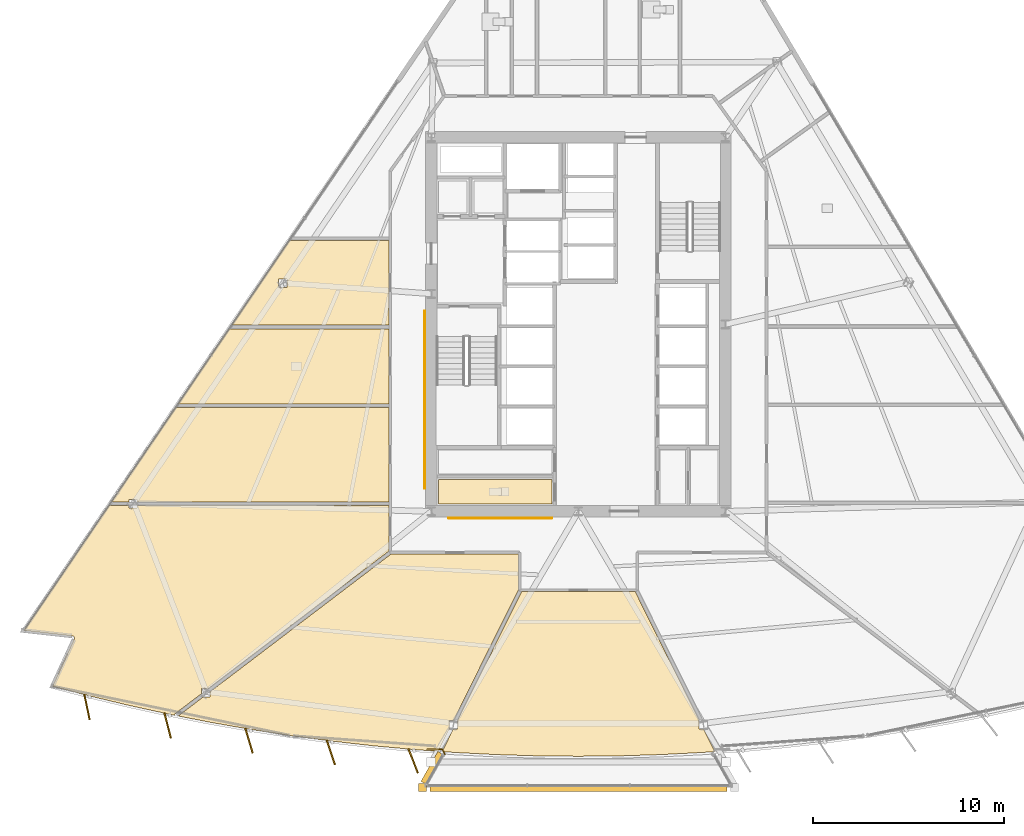
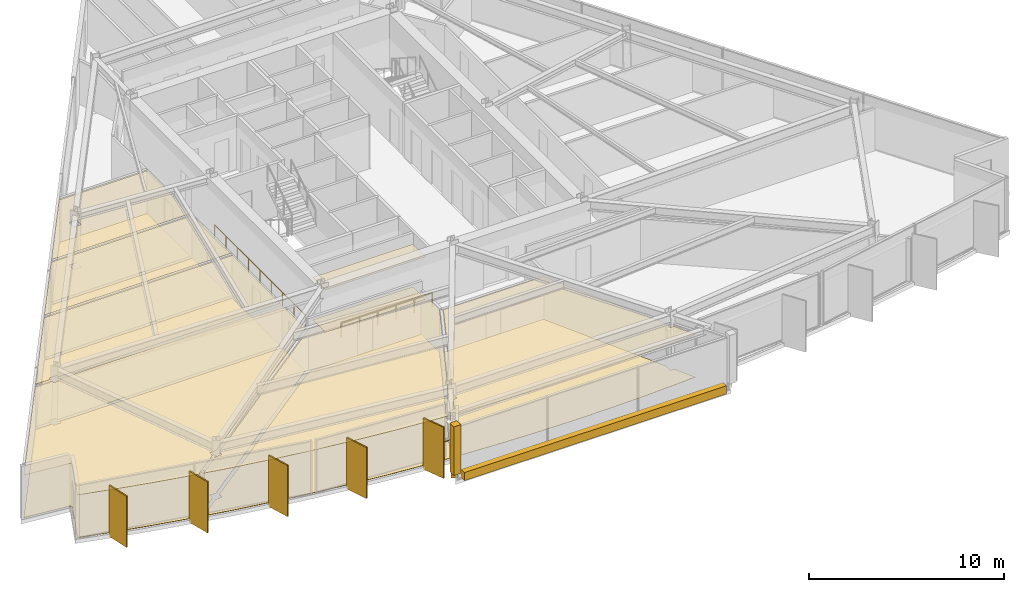
# One storey, part 12 of 16: 17 coverings, 5 shading devices, 3 railings.
"""IFC4 building model written with IfcOpenShell, lengths in metres."""

from ifc_helpers import new_model, si_unit, direction, frame, origin, origin_2d, place, context, subcontext, project, spatial, polyline, rectangle, circle, outline, extrude, material, layer, layer_set, type_object, element, save


model = new_model("IFC4")

# Units and contexts
model_context = context("Model", 3, precision=1e-05, world=origin(), true_north=direction((0.0, 1.0)))
body_context = subcontext(model_context, "Body", "Model", "MODEL_VIEW")
ifc_project = project(units=[si_unit("LENGTHUNIT", "METRE"), si_unit("AREAUNIT", "SQUARE_METRE"), si_unit("VOLUMEUNIT", "CUBIC_METRE"), si_unit("PLANEANGLEUNIT", "RADIAN"), si_unit("MASSUNIT", "GRAM", prefix="KILO")], contexts=[model_context])

# Site, building, storey
site_placement = place(None, origin())
site = spatial("IfcSite", under=ifc_project, at=site_placement, CompositionType="ELEMENT")
building_placement = place(site_placement, origin())
building = spatial("IfcBuilding", under=site, at=building_placement, Name="Savorim Split Tower", CompositionType="ELEMENT")
storey_placement = place(building_placement, frame((0.0, 0.0, 66.0)))
storey = spatial("IfcBuildingStorey", under=building, at=storey_placement, Name="L17", CompositionType="ELEMENT", Elevation=66.0)

# Coverings
ifc_material_1 = material(Name="Mineral Fibre Acoustic Ceiling")
ifc_layer_1 = layer(ifc_material_1, 0.02490234375)
ifc_layer_set_1 = layer_set([ifc_layer_1], Name="COV-CEIL-25")
covering_type_1 = type_object("IfcCoveringType", Name="COV-CEIL-25", PredefinedType="CEILING", material=ifc_layer_set_1)
covering_1_placement = place(storey_placement, frame((0.0, 0.0, 2.669921875)))
element("IfcCovering", 1, at=covering_1_placement, inside=storey, type_object=covering_type_1, Name="L17 Public WC Acoustic Ceiling", PredefinedType="CEILING", context=body_context, shape_type="SweptSolid", body=[
    extrude(outline(polyline([(-7.320068359375, -7.719970703125), (-7.320068359375, -9.02001953125), (-1.3798828125, -9.02001953125), (-1.3798828125, -7.719970703125), (-7.320068359375, -7.719970703125)])), origin(), (0.0, 0.0, 1.0), 0.025146484375),
])
covering_2_placement = place(storey_placement, frame((0.0, 0.0, 2.669921875)))
element("IfcCovering", 2, at=covering_2_placement, inside=storey, type_object=covering_type_1, Name="L17 Shared Kitchen Acoustic Ceiling", PredefinedType="CEILING", context=body_context, shape_type="SweptSolid", body=[
    extrude(outline(polyline([(-18.29345703125, 0.16455078125), (-20.96533203125, -3.76318359375), (-9.919921875, -3.76318359375), (-9.919921875, 0.16455078125), (-18.29345703125, 0.16455078125)])), origin(), (0.0, 0.0, 1.0), 0.025146484375),
])
covering_3_placement = place(storey_placement, frame((0.0, 0.0, 2.669921875)))
element("IfcCovering", 3, at=covering_3_placement, inside=storey, type_object=covering_type_1, Name="L17 Maker Workshop Acoustic Ceiling", PredefinedType="CEILING", context=body_context, shape_type="SweptSolid", body=[
    extrude(outline(polyline([(-23.1240234375, -8.772216796875), (-23.1240234375, -8.904541015625), (-9.919921875, -8.904541015625), (-9.919921875, -3.953125), (-21.094482421875, -3.953125), (-24.462890625, -8.904541015625), (-23.555908203125, -8.904541015625), (-23.555908203125, -8.772216796875), (-23.1240234375, -8.772216796875)])), origin(), (0.0, 0.0, 1.0), 0.025146484375),
])
covering_4_placement = place(storey_placement, frame((0.0, 0.0, 2.669921875)))
element("IfcCovering", 4, at=covering_4_placement, inside=storey, type_object=covering_type_1, Name="L17 Co-Working Commons Acoustic Ceiling", PredefinedType="CEILING", context=body_context, shape_type="SweptSolid", body=[
    extrude(outline(polyline([(-26.404052734375, -16.033447265625), (-26.40380859375, -16.04541015625), (-26.40478515625, -16.057373046875), (-26.406982421875, -16.069091796875), (-26.410400390625, -16.08056640625), (-26.414794921875, -16.091552734375), (-27.549560546875, -18.561767578125), (-25.601806640625, -19.071044921875), (-23.50634765625, -19.573486328125), (-21.40087890625, -20.032958984375), (-21.134765625, -20.08544921875), (-21.173095703125, -20.034912109375), (-19.74658203125, -18.94970703125), (-19.74658203125, -18.67724609375), (-19.388427734375, -18.67724609375), (-9.945556640625, -11.492919921875), (-9.919921875, -11.4736328125), (-9.919921875, -9.094482421875), (-23.1240234375, -9.094482421875), (-23.1240234375, -9.22705078125), (-23.555908203125, -9.22705078125), (-23.555908203125, -9.094482421875), (-24.467041015625, -9.094482421875), (-24.56201171875, -9.094482421875), (-24.56201171875, -9.05029296875), (-29.04443359375, -15.639404296875), (-26.510498046875, -15.922119140625), (-26.498779296875, -15.92431640625), (-26.4873046875, -15.92724609375), (-26.47607421875, -15.931396484375), (-26.46533203125, -15.936767578125), (-26.455078125, -15.943115234375), (-26.44580078125, -15.9501953125), (-26.43701171875, -15.95849609375), (-26.42919921875, -15.967529296875), (-26.42236328125, -15.977294921875), (-26.41650390625, -15.98779296875), (-26.41162109375, -15.99853515625), (-26.407958984375, -16.010009765625), (-26.405517578125, -16.021484375), (-26.404052734375, -16.033447265625)])), origin(), (0.0, 0.0, 1.0), 0.025146484375),
])
covering_5_placement = place(storey_placement, frame((0.0, 0.0, 2.669921875)))
element("IfcCovering", 5, at=covering_5_placement, inside=storey, type_object=covering_type_1, Name="L17 Maker Workshop Acoustic Ceiling", PredefinedType="CEILING", context=body_context, shape_type="SweptSolid", body=[
    extrude(outline(polyline([(-15.0341796875, -21.15185546875), (-12.898193359375, -21.4375), (-10.756591796875, -21.6796875), (-8.610595703125, -21.877685546875), (-7.34619140625, -21.968505859375), (-6.76171875, -20.79296875), (-6.76171875, -20.344482421875), (-6.538818359375, -20.344482421875), (-3.15087890625, -13.531005859375), (-3.1328125, -13.494140625), (-3.134033203125, -13.490478515625), (-3.13720703125, -13.477294921875), (-3.139404296875, -13.463623046875), (-3.139892578125, -13.449951171875), (-3.139892578125, -11.6201171875), (-9.780029296875, -11.6201171875), (-9.793701171875, -11.619384765625), (-9.797119140625, -11.618896484375), (-19.314697265625, -18.85986328125), (-19.314697265625, -19.132080078125), (-19.672607421875, -19.132080078125), (-20.968505859375, -20.1181640625), (-19.286376953125, -20.44921875), (-17.163818359375, -20.822265625), (-15.0341796875, -21.15185546875)])), origin(), (0.0, 0.0, 1.0), 0.025146484375),
])
covering_6_placement = place(storey_placement, frame((0.0, 0.0, 2.669921875)))
element("IfcCovering", 6, at=covering_6_placement, inside=storey, type_object=covering_type_1, Name="L17 Maker Workshop Acoustic Ceiling", PredefinedType="CEILING", context=body_context, shape_type="SweptSolid", body=[
    extrude(outline(polyline([(0.0, -22.23046875), (2.15478515625, -22.208251953125), (4.30908203125, -22.14208984375), (6.461181640625, -22.031982421875), (7.141357421875, -21.983154296875), (6.552734375, -20.79931640625), (6.32958984375, -20.79931640625), (6.32958984375, -20.350830078125), (2.980712890625, -13.615478515625), (2.96826171875, -13.590087890625), (-2.96826171875, -13.590087890625), (-6.32958984375, -20.350830078125), (-6.32958984375, -20.79931640625), (-6.552734375, -20.79931640625), (-7.134521484375, -21.9697265625), (-7.141357421875, -21.983154296875), (-6.461181640625, -22.031982421875), (-4.30908203125, -22.14208984375), (-2.15478515625, -22.208251953125), (0.0, -22.23046875)])), origin(), (0.0, 0.0, 1.0), 0.025146484375),
])
covering_7_placement = place(storey_placement, frame((0.0, 0.0, 2.669921875)))
element("IfcCovering", 7, at=covering_7_placement, inside=storey, type_object=covering_type_1, Name="L17 Co-Working Commons Acoustic Ceiling", PredefinedType="CEILING", context=body_context, shape_type="SweptSolid", body=[
    extrude(outline(polyline([(-15.14404296875, 4.794189453125), (-18.164306640625, 0.3544921875), (-9.919921875, 0.3544921875), (-9.919921875, 4.794189453125), (-15.14404296875, 4.794189453125)]), holes=[polyline([(-15.7001953125, 2.77587890625), (-15.7001953125, 2.32080078125), (-15.26806640625, 2.32080078125), (-15.26806640625, 2.77587890625), (-15.7001953125, 2.77587890625)])]), origin(), (0.0, 0.0, 1.0), 0.025146484375),
])
ifc_material_2 = material(Name="Porcelain Stoneware Flooring", Category="masonry")
ifc_layer_2 = layer(ifc_material_2, 0.02001953125)
ifc_layer_set_2 = layer_set([ifc_layer_2], Name="COV-FLOR-20")
covering_type_2 = type_object("IfcCoveringType", Name="COV-FLOR-20", PredefinedType="FLOORING", material=ifc_layer_set_2)
covering_8_placement = place(storey_placement, origin())
element("IfcCovering", 8, at=covering_8_placement, inside=storey, type_object=covering_type_2, Name="L17 Public WC Porcelain Flooring", PredefinedType="FLOORING", context=body_context, shape_type="SweptSolid", body=[
    extrude(outline(polyline([(-7.320068359375, -7.719970703125), (-7.320068359375, -9.02001953125), (-1.3798828125, -9.02001953125), (-1.3798828125, -7.719970703125), (-7.320068359375, -7.719970703125)])), origin(), (0.0, 0.0, 1.0), 0.02001953125),
])
covering_9_placement = place(storey_placement, origin())
element("IfcCovering", 9, at=covering_9_placement, inside=storey, type_object=covering_type_2, Name="L17 Shared Kitchen Porcelain Flooring", PredefinedType="FLOORING", context=body_context, shape_type="SweptSolid", body=[
    extrude(outline(polyline([(-18.29345703125, 0.16455078125), (-20.96533203125, -3.76318359375), (-9.919921875, -3.76318359375), (-9.919921875, 0.16455078125), (-18.29345703125, 0.16455078125)])), origin(), (0.0, 0.0, 1.0), 0.02001953125),
])
covering_10_placement = place(storey_placement, origin())
element("IfcCovering", 10, at=covering_10_placement, inside=storey, type_object=covering_type_2, Name="L17 Maker Workshop Porcelain Flooring", PredefinedType="FLOORING", context=body_context, shape_type="SweptSolid", body=[
    extrude(outline(polyline([(-23.1240234375, -8.772216796875), (-23.1240234375, -8.904541015625), (-9.919921875, -8.904541015625), (-9.919921875, -3.953125), (-21.094482421875, -3.953125), (-24.462890625, -8.904541015625), (-23.555908203125, -8.904541015625), (-23.555908203125, -8.772216796875), (-23.1240234375, -8.772216796875)])), origin(), (0.0, 0.0, 1.0), 0.02001953125),
])
covering_11_placement = place(storey_placement, origin())
element("IfcCovering", 11, at=covering_11_placement, inside=storey, type_object=covering_type_2, Name="L17 Co-Working Commons Porcelain Flooring", PredefinedType="FLOORING", context=body_context, shape_type="SweptSolid", body=[
    extrude(outline(polyline([(-26.404052734375, -16.033447265625), (-26.40380859375, -16.04541015625), (-26.40478515625, -16.057373046875), (-26.406982421875, -16.069091796875), (-26.410400390625, -16.08056640625), (-26.414794921875, -16.091552734375), (-27.549560546875, -18.561767578125), (-25.601806640625, -19.071044921875), (-23.50634765625, -19.573486328125), (-21.40087890625, -20.032958984375), (-21.134765625, -20.08544921875), (-21.173095703125, -20.034912109375), (-19.74658203125, -18.94970703125), (-19.74658203125, -18.67724609375), (-19.388427734375, -18.67724609375), (-9.945556640625, -11.492919921875), (-9.919921875, -11.4736328125), (-9.919921875, -9.094482421875), (-23.1240234375, -9.094482421875), (-23.1240234375, -9.22705078125), (-23.555908203125, -9.22705078125), (-23.555908203125, -9.094482421875), (-24.467041015625, -9.094482421875), (-24.56201171875, -9.094482421875), (-24.56201171875, -9.05029296875), (-29.04443359375, -15.639404296875), (-26.510498046875, -15.922119140625), (-26.498779296875, -15.92431640625), (-26.4873046875, -15.92724609375), (-26.47607421875, -15.931396484375), (-26.46533203125, -15.936767578125), (-26.455078125, -15.943115234375), (-26.44580078125, -15.9501953125), (-26.43701171875, -15.95849609375), (-26.42919921875, -15.967529296875), (-26.42236328125, -15.977294921875), (-26.41650390625, -15.98779296875), (-26.41162109375, -15.99853515625), (-26.407958984375, -16.010009765625), (-26.405517578125, -16.021484375), (-26.404052734375, -16.033447265625)])), origin(), (0.0, 0.0, 1.0), 0.02001953125),
])
covering_12_placement = place(storey_placement, origin())
element("IfcCovering", 12, at=covering_12_placement, inside=storey, type_object=covering_type_2, Name="L17 Maker Workshop Porcelain Flooring", PredefinedType="FLOORING", context=body_context, shape_type="SweptSolid", body=[
    extrude(outline(polyline([(-15.0341796875, -21.15185546875), (-12.898193359375, -21.4375), (-10.756591796875, -21.6796875), (-8.610595703125, -21.877685546875), (-7.34619140625, -21.968505859375), (-6.76171875, -20.79296875), (-6.76171875, -20.344482421875), (-6.538818359375, -20.344482421875), (-3.15087890625, -13.531005859375), (-3.1328125, -13.494140625), (-3.134033203125, -13.490478515625), (-3.13720703125, -13.477294921875), (-3.139404296875, -13.463623046875), (-3.139892578125, -13.449951171875), (-3.139892578125, -11.6201171875), (-9.780029296875, -11.6201171875), (-9.793701171875, -11.619384765625), (-9.797119140625, -11.618896484375), (-19.314697265625, -18.85986328125), (-19.314697265625, -19.132080078125), (-19.672607421875, -19.132080078125), (-20.968505859375, -20.1181640625), (-19.286376953125, -20.44921875), (-17.163818359375, -20.822265625), (-15.0341796875, -21.15185546875)])), origin(), (0.0, 0.0, 1.0), 0.02001953125),
])
covering_13_placement = place(storey_placement, origin())
element("IfcCovering", 13, at=covering_13_placement, inside=storey, type_object=covering_type_2, Name="L17 Maker Workshop Porcelain Flooring", PredefinedType="FLOORING", context=body_context, shape_type="SweptSolid", body=[
    extrude(outline(polyline([(0.0, -22.23046875), (2.15478515625, -22.208251953125), (4.30908203125, -22.14208984375), (6.461181640625, -22.031982421875), (7.141357421875, -21.983154296875), (6.552734375, -20.79931640625), (6.32958984375, -20.79931640625), (6.32958984375, -20.350830078125), (2.980712890625, -13.615478515625), (2.96826171875, -13.590087890625), (-2.96826171875, -13.590087890625), (-6.32958984375, -20.350830078125), (-6.32958984375, -20.79931640625), (-6.552734375, -20.79931640625), (-7.134521484375, -21.9697265625), (-7.141357421875, -21.983154296875), (-6.461181640625, -22.031982421875), (-4.30908203125, -22.14208984375), (-2.15478515625, -22.208251953125), (0.0, -22.23046875)])), origin(), (0.0, 0.0, 1.0), 0.02001953125),
])
covering_14_placement = place(storey_placement, origin())
element("IfcCovering", 14, at=covering_14_placement, inside=storey, type_object=covering_type_2, Name="L17 Co-Working Commons Porcelain Flooring", PredefinedType="FLOORING", context=body_context, shape_type="SweptSolid", body=[
    extrude(outline(polyline([(-15.14404296875, 4.794189453125), (-18.164306640625, 0.3544921875), (-9.919921875, 0.3544921875), (-9.919921875, 4.794189453125), (-15.14404296875, 4.794189453125)]), holes=[polyline([(-15.7001953125, 2.77587890625), (-15.7001953125, 2.32080078125), (-15.26806640625, 2.32080078125), (-15.26806640625, 2.77587890625), (-15.7001953125, 2.77587890625)])]), origin(), (0.0, 0.0, 1.0), 0.02001953125),
])
ifc_material_3 = material(Name="White Porcelain Architectural Cladding")
ifc_layer_3 = layer(ifc_material_3, 0.139892578125)
ifc_layer_set_3 = layer_set([ifc_layer_3], Name="COV-FRM-WHITE")
covering_type_3 = type_object("IfcCoveringType", Name="COV-FRM-WHITE", PredefinedType="CLADDING", material=ifc_layer_set_3)
covering_15_placement = place(storey_placement, frame((0.0, 0.0, 0.010009765625)))
element("IfcCovering", 15, at=covering_15_placement, inside=storey, type_object=covering_type_3, Name="L17 Cantilevered Lounge White Lower Frame Band W", PredefinedType="CLADDING", context=body_context, shape_type="SweptSolid", body=[
    extrude(outline(polyline([(-7.364990234375, -21.9755859375), (-8.2509765625, -23.54248046875), (-7.955078125, -23.7099609375), (-7.06884765625, -22.14306640625), (-7.364990234375, -21.9755859375)])), origin(), (0.0, 0.0, 1.0), 0.510009765625),
])
covering_16_placement = place(storey_placement, frame((0.0, 0.0, 0.010009765625)))
element("IfcCovering", 16, at=covering_16_placement, inside=storey, type_object=covering_type_3, Name="L17 Cantilevered Lounge White Lower Frame Band F", PredefinedType="CLADDING", context=body_context, shape_type="SweptSolid", body=[
    extrude(outline(polyline([(-7.777587890625, -24.079833984375), (7.777587890625, -24.079833984375), (7.777587890625, -23.73974609375), (-7.777587890625, -23.73974609375), (-7.777587890625, -24.079833984375)])), origin(), (0.0, 0.0, 1.0), 0.510009765625),
])
covering_17_placement = place(storey_placement, frame((0.0, 0.0, 0.5400390625)))
element("IfcCovering", 17, at=covering_17_placement, inside=storey, type_object=covering_type_3, Name="L17 Cantilevered Lounge White Frame Corner Post 1", PredefinedType="CLADDING", context=body_context, shape_type="SweptSolid", body=[
    extrude(outline(polyline([(-8.3876953125, -24.06982421875), (-7.967529296875, -24.06982421875), (-7.967529296875, -23.64990234375), (-8.3876953125, -23.64990234375), (-8.3876953125, -24.06982421875)])), origin(), (0.0, 0.0, 1.0), 3.050048828125),
])

# Railings
ifc_material_4 = material(Name="Galvanised Painted Steel Balustrade", Category="steel")
railing_type_1 = type_object("IfcRailingType", Name="RLG-BAL-1100", PredefinedType="BALUSTRADE", material=ifc_material_4)
railing_1_placement = place(storey_placement, frame((-7.9140625, -21.864501953125, 0.0)))
element("IfcRailing", 18, at=railing_1_placement, inside=storey, type_object=railing_type_1, Name="L17 Cantilevered Lounge West Edge Closure Guard", PredefinedType="BALUSTRADE", context=body_context, shape_type="SweptSolid", body=[
    extrude(circle(Radius=0.02392578125, at=origin_2d()), frame((0.0, 0.0, 1.076171875), z_axis=(1.0, 0.0, 0.0), x_axis=(0.0, 1.0, 0.0)), (0.0, 0.0, 1.0), 0.780029296875),
    extrude(circle(Radius=0.02392578125, at=origin_2d()), frame((0.780029296875, 0.0, 1.076171875), z_axis=(0.481582589665, -0.876400712763, 0.0), x_axis=(0.876400712763, 0.481582589665, 0.0)), (0.0, 0.0, 1.0), 0.306640625),
    extrude(circle(Radius=0.02099609375, at=origin_2d()), origin(), (0.0, 0.0, 1.0), 1.052001953125),
    extrude(circle(Radius=0.02099609375, at=origin_2d()), frame((0.780029296875, 0.0, 0.0)), (0.0, 0.0, 1.0), 1.052001953125),
    extrude(circle(Radius=0.02099609375, at=origin_2d()), frame((0.927734375, -0.268798828125, 0.0)), (0.0, 0.0, 1.0), 1.052001953125),
])
railing_type_2 = type_object("IfcRailingType", Name="RLG-HR-900", PredefinedType="HANDRAIL", material=ifc_material_4)
railing_2_placement = place(storey_placement, frame((-6.800048828125, -9.75, 0.0)))
element("IfcRailing", 19, at=railing_2_placement, inside=storey, type_object=railing_type_2, Name="L17 Corridor South Accessible Handrail", PredefinedType="HANDRAIL", context=body_context, shape_type="SweptSolid", body=[
    extrude(circle(Radius=0.02392578125, at=origin_2d()), frame((0.0, 0.0, 0.8759765625), z_axis=(1.0, 0.0, 0.0), x_axis=(0.0, 1.0, 0.0)), (0.0, 0.0, 1.0), 5.400146484375),
    extrude(circle(Radius=0.02099609375, at=origin_2d()), origin(), (0.0, 0.0, 1.0), 0.851806640625),
    extrude(circle(Radius=0.02099609375, at=origin_2d()), frame((1.080078125, 0.0, 0.0)), (0.0, 0.0, 1.0), 0.851806640625),
    extrude(circle(Radius=0.02099609375, at=origin_2d()), frame((2.16015625, 0.0, 0.0)), (0.0, 0.0, 1.0), 0.851806640625),
    extrude(circle(Radius=0.02099609375, at=origin_2d()), frame((3.239990234375, 0.0, 0.0)), (0.0, 0.0, 1.0), 0.851806640625),
    extrude(circle(Radius=0.02099609375, at=origin_2d()), frame((4.320068359375, 0.0, 0.0)), (0.0, 0.0, 1.0), 0.851806640625),
    extrude(circle(Radius=0.02099609375, at=origin_2d()), frame((5.400146484375, 0.0, 0.0)), (0.0, 0.0, 1.0), 0.851806640625),
])
railing_3_placement = place(storey_placement, frame((-8.050048828125, -8.199951171875, 0.0)))
element("IfcRailing", 20, at=railing_3_placement, inside=storey, type_object=railing_type_2, Name="L17 Corridor West Accessible Handrail", PredefinedType="HANDRAIL", context=body_context, shape_type="SweptSolid", body=[
    extrude(circle(Radius=0.02392578125, at=origin_2d()), frame((0.0, 0.0, 0.8759765625), z_axis=(0.0, 1.0, 0.0), x_axis=(-1.0, 0.0, 0.0)), (0.0, 0.0, 1.0), 9.300048828125),
    extrude(circle(Radius=0.02099609375, at=origin_2d()), origin(), (0.0, 0.0, 1.0), 0.851806640625),
    extrude(circle(Radius=0.02099609375, at=origin_2d()), frame((0.0, 1.16259765625, 0.0)), (0.0, 0.0, 1.0), 0.851806640625),
    extrude(circle(Radius=0.02099609375, at=origin_2d()), frame((0.0, 2.324951171875, 0.0)), (0.0, 0.0, 1.0), 0.851806640625),
    extrude(circle(Radius=0.02099609375, at=origin_2d()), frame((0.0, 3.487548828125, 0.0)), (0.0, 0.0, 1.0), 0.851806640625),
    extrude(circle(Radius=0.02099609375, at=origin_2d()), frame((0.0, 4.64990234375, 0.0)), (0.0, 0.0, 1.0), 0.851806640625),
    extrude(circle(Radius=0.02099609375, at=origin_2d()), frame((0.0, 5.8125, 0.0)), (0.0, 0.0, 1.0), 0.851806640625),
    extrude(circle(Radius=0.02099609375, at=origin_2d()), frame((0.0, 6.97509765625, 0.0)), (0.0, 0.0, 1.0), 0.851806640625),
    extrude(circle(Radius=0.02099609375, at=origin_2d()), frame((0.0, 8.137451171875, 0.0)), (0.0, 0.0, 1.0), 0.851806640625),
    extrude(circle(Radius=0.02099609375, at=origin_2d()), frame((0.0, 9.300048828125, 0.0)), (0.0, 0.0, 1.0), 0.851806640625),
])

# Shading devices
ifc_material_5 = material(Name="Terracotta Ceramic-Coated Aluminium Fin", Category="masonry")
shading_device_type = type_object("IfcShadingDeviceType", Name="SHD-FIN-1360", PredefinedType="USERDEFINED", material=ifc_material_5)
for number, where, z_axis, x_axis, name in (
    (21, (-25.746826171875, -19.649169921875, -0.2001953125), (0.0, 0.0, 1.0), (0.206721626106, -0.978399800337, 0.0), "L17 Sawtooth Shading Fin 01"),
    (22, (-21.52197265625, -20.61669921875, -0.2001953125), (0.0, 0.0, 1.0), (0.246581250663, -0.969122121727, 0.0), "L17 Sawtooth Shading Fin 02"),
    (23, (-17.260986328125, -21.410400390625, -0.2001953125), (0.0, 0.0, 1.0), (0.286026212504, -0.958221793616, 0.0), "L17 Sawtooth Shading Fin 03"),
    (24, (-12.97119140625, -22.029052734375, -0.2001953125), (0.0, 0.0, 1.0), (0.324993810493, -0.945716143005, 0.0), "L17 Sawtooth Shading Fin 04"),
    (25, (-8.659423828125, -22.4716796875, -0.2001953125), (0.0, 0.0, 1.0), (0.363415461732, -0.931627179817, 0.0), "L17 Sawtooth Shading Fin 05"),
):
    element("IfcShadingDevice", number, at=place(storey_placement, frame(where, z_axis=z_axis, x_axis=x_axis)), inside=storey, type_object=shading_device_type, Name=name, ObjectType="FIN", PredefinedType="USERDEFINED", context=body_context, shape_type="SweptSolid", body=[
        extrude(rectangle(XDim=1.360107421875, YDim=0.080078125, at=origin_2d()), origin(), (0.0, 0.0, 1.0), 3.199951171875),
    ])

save(model, "model.ifc")
